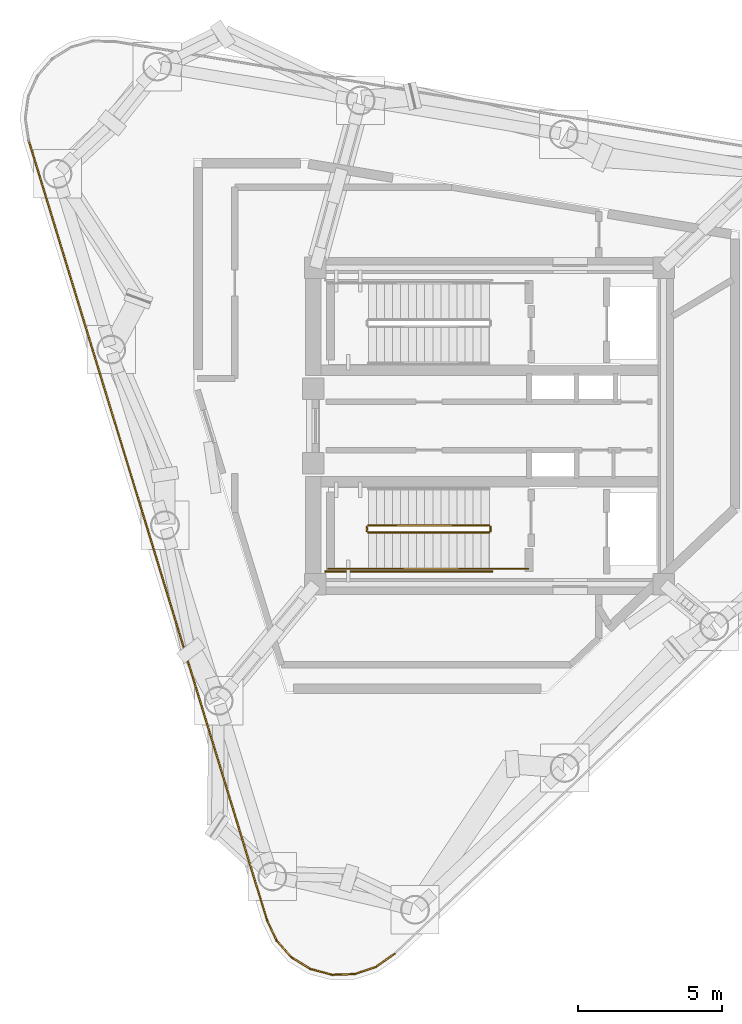
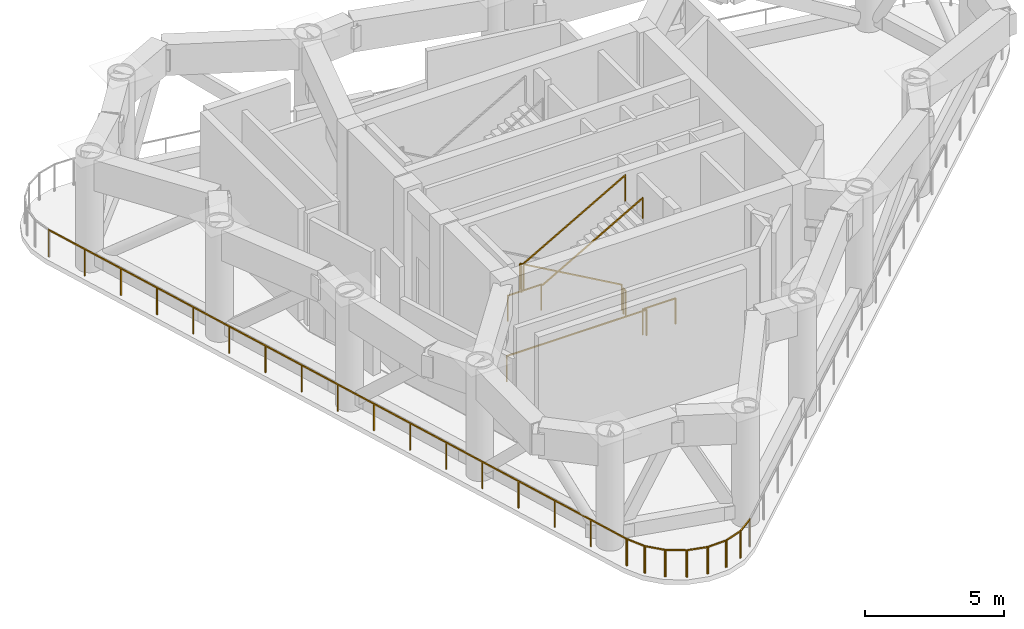
# One storey, part 6 of 9: 16 railings.
"""IFC4 building model written with IfcOpenShell, lengths in metres."""

from ifc_helpers import new_model, si_unit, direction, frame, origin, origin_2d, place, context, subcontext, project, spatial, rectangle, extrude, material, type_object, element, save


model = new_model("IFC4")

# Units and contexts
model_context = context("Model", 3, precision=1e-05, world=origin(), true_north=direction((0.0, 1.0)))
body_context = subcontext(model_context, "Body", "Model", "MODEL_VIEW")
ifc_project = project(units=[si_unit("LENGTHUNIT", "METRE"), si_unit("AREAUNIT", "SQUARE_METRE"), si_unit("VOLUMEUNIT", "CUBIC_METRE"), si_unit("PLANEANGLEUNIT", "RADIAN"), si_unit("MASSUNIT", "GRAM", prefix="KILO")], contexts=[model_context])

# Site, building, storey
site_placement = place(None, origin())
site = spatial("IfcSite", under=ifc_project, at=site_placement, CompositionType="ELEMENT")
building_placement = place(site_placement, origin())
building = spatial("IfcBuilding", under=site, at=building_placement, Name="Yunling Apex Tower", CompositionType="ELEMENT")
storey_placement = place(building_placement, frame((0.0, 0.0, 252.449951171875)))
storey = spatial("IfcBuildingStorey", under=building, at=storey_placement, Name="RF7", CompositionType="ELEMENT", Elevation=252.449951171875)

# Railings
ifc_material_1 = material(Name="Bronze anodised aluminium", Category="aluminium")
railing_type_1 = type_object("IfcRailingType", Name="RL-BAL-1200", PredefinedType="BALUSTRADE", material=ifc_material_1)
railing_1_placement = place(storey_placement, frame((-7.7216796875, -17.192626953125, 0.0)))
element("IfcRailing", 1, at=railing_1_placement, inside=storey, type_object=railing_type_1, Name="RL-REF-RF7-01", PredefinedType="BALUSTRADE", context=body_context, shape_type="SweptSolid", body=[
    extrude(rectangle(XDim=0.0439453125, YDim=0.0439453125, at=origin_2d()), origin(), (0.0, 0.0, 1.0), 1.199951171875),
    extrude(rectangle(XDim=0.0439453125, YDim=0.0439453125, at=origin_2d()), frame((-8.2939453125, 27.128173828125, 0.0)), (0.0, 0.0, 1.0), 1.199951171875),
    extrude(rectangle(XDim=0.050048828125, YDim=0.050048828125, at=origin_2d()), frame((-0.01123046875, 0.03662109375, 1.1748046875), z_axis=(-0.292372679642, 0.9563044579, 0.0), x_axis=(-0.9563044579, -0.292372679642, 0.0)), (0.0, 0.0, 1.0), 28.291015625),
    extrude(rectangle(XDim=0.0439453125, YDim=0.0439453125, at=origin_2d()), frame((-0.518310546875, 1.695556640625, 0.0)), (0.0, 0.0, 1.0), 1.14599609375),
    extrude(rectangle(XDim=0.0439453125, YDim=0.0439453125, at=origin_2d()), frame((-1.03662109375, 3.39111328125, 0.0)), (0.0, 0.0, 1.0), 1.14599609375),
    extrude(rectangle(XDim=0.0439453125, YDim=0.0439453125, at=origin_2d()), frame((-1.55517578125, 5.08642578125, 0.0)), (0.0, 0.0, 1.0), 1.14599609375),
    extrude(rectangle(XDim=0.0439453125, YDim=0.0439453125, at=origin_2d()), frame((-2.073486328125, 6.781982421875, 0.0)), (0.0, 0.0, 1.0), 1.14599609375),
    extrude(rectangle(XDim=0.0439453125, YDim=0.0439453125, at=origin_2d()), frame((-2.591796875, 8.4775390625, 0.0)), (0.0, 0.0, 1.0), 1.14599609375),
    extrude(rectangle(XDim=0.0439453125, YDim=0.0439453125, at=origin_2d()), frame((-3.1103515625, 10.173095703125, 0.0)), (0.0, 0.0, 1.0), 1.14599609375),
    extrude(rectangle(XDim=0.0439453125, YDim=0.0439453125, at=origin_2d()), frame((-3.628662109375, 11.86865234375, 0.0)), (0.0, 0.0, 1.0), 1.14599609375),
    extrude(rectangle(XDim=0.0439453125, YDim=0.0439453125, at=origin_2d()), frame((-4.14697265625, 13.56396484375, 0.0)), (0.0, 0.0, 1.0), 1.14599609375),
    extrude(rectangle(XDim=0.0439453125, YDim=0.0439453125, at=origin_2d()), frame((-4.665283203125, 15.259521484375, 0.0)), (0.0, 0.0, 1.0), 1.14599609375),
    extrude(rectangle(XDim=0.0439453125, YDim=0.0439453125, at=origin_2d()), frame((-5.18359375, 16.955078125, 0.0)), (0.0, 0.0, 1.0), 1.14599609375),
    extrude(rectangle(XDim=0.0439453125, YDim=0.0439453125, at=origin_2d()), frame((-5.7021484375, 18.650634765625, 0.0)), (0.0, 0.0, 1.0), 1.14599609375),
    extrude(rectangle(XDim=0.0439453125, YDim=0.0439453125, at=origin_2d()), frame((-6.220458984375, 20.34619140625, 0.0)), (0.0, 0.0, 1.0), 1.14599609375),
    extrude(rectangle(XDim=0.0439453125, YDim=0.0439453125, at=origin_2d()), frame((-6.73876953125, 22.041748046875, 0.0)), (0.0, 0.0, 1.0), 1.14599609375),
    extrude(rectangle(XDim=0.0439453125, YDim=0.0439453125, at=origin_2d()), frame((-7.25732421875, 23.737060546875, 0.0)), (0.0, 0.0, 1.0), 1.14599609375),
    extrude(rectangle(XDim=0.0439453125, YDim=0.0439453125, at=origin_2d()), frame((-7.775634765625, 25.4326171875, 0.0)), (0.0, 0.0, 1.0), 1.14599609375),
])
railing_2_placement = place(storey_placement, frame((-3.294189453125, -18.3349609375, 0.0)))
element("IfcRailing", 2, at=railing_2_placement, inside=storey, type_object=railing_type_1, Name="RL-REF-RF7-18", PredefinedType="BALUSTRADE", context=body_context, shape_type="SweptSolid", body=[
    extrude(rectangle(XDim=0.0439453125, YDim=0.0439453125, at=origin_2d()), origin(), (0.0, 0.0, 1.0), 1.199951171875),
    extrude(rectangle(XDim=0.0439453125, YDim=0.0439453125, at=origin_2d()), frame((-0.669189453125, -0.470947265625, 0.0)), (0.0, 0.0, 1.0), 1.199951171875),
    extrude(rectangle(XDim=0.050048828125, YDim=0.050048828125, at=origin_2d()), frame((-0.03125, -0.02197265625, 1.1748046875), z_axis=(-0.817785616171, -0.575522967382, 0.0), x_axis=(0.575522967382, -0.817785616171, 0.0)), (0.0, 0.0, 1.0), 0.74169921875),
])
railing_3_placement = place(storey_placement, frame((-3.936767578125, -18.79248046875, 0.0)))
element("IfcRailing", 3, at=railing_3_placement, inside=storey, type_object=railing_type_1, Name="RL-REF-RF7-19", PredefinedType="BALUSTRADE", context=body_context, shape_type="SweptSolid", body=[
    extrude(rectangle(XDim=0.0439453125, YDim=0.0439453125, at=origin_2d()), origin(), (0.0, 0.0, 1.0), 1.199951171875),
    extrude(rectangle(XDim=0.0439453125, YDim=0.0439453125, at=origin_2d()), frame((-0.763427734375, -0.25537109375, 0.0)), (0.0, 0.0, 1.0), 1.199951171875),
    extrude(rectangle(XDim=0.050048828125, YDim=0.050048828125, at=origin_2d()), frame((-0.036376953125, -0.01220703125, 1.1748046875), z_axis=(-0.948349164745, -0.317228406243, 0.0), x_axis=(0.317228406243, -0.948349164745, 0.0)), (0.0, 0.0, 1.0), 0.728271484375),
])
railing_4_placement = place(storey_placement, frame((-4.6708984375, -19.042724609375, 0.0)))
element("IfcRailing", 4, at=railing_4_placement, inside=storey, type_object=railing_type_1, Name="RL-REF-RF7-20", PredefinedType="BALUSTRADE", context=body_context, shape_type="SweptSolid", body=[
    extrude(rectangle(XDim=0.0439453125, YDim=0.0439453125, at=origin_2d()), origin(), (0.0, 0.0, 1.0), 1.199951171875),
    extrude(rectangle(XDim=0.0439453125, YDim=0.0439453125, at=origin_2d()), frame((-0.804443359375, -0.026123046875, 0.0)), (0.0, 0.0, 1.0), 1.199951171875),
    extrude(rectangle(XDim=0.050048828125, YDim=0.050048828125, at=origin_2d()), frame((-0.038330078125, -0.001220703125, 1.1748046875), z_axis=(-0.99947315434, -0.03245633612, 0.0), x_axis=(0.03245633612, -0.99947315434, 0.0)), (0.0, 0.0, 1.0), 0.728271484375),
])
railing_5_placement = place(storey_placement, frame((-5.44580078125, -19.072265625, 0.0)))
element("IfcRailing", 5, at=railing_5_placement, inside=storey, type_object=railing_type_1, Name="RL-REF-RF7-21", PredefinedType="BALUSTRADE", context=body_context, shape_type="SweptSolid", body=[
    extrude(rectangle(XDim=0.0439453125, YDim=0.0439453125, at=origin_2d()), origin(), (0.0, 0.0, 1.0), 1.199951171875),
    extrude(rectangle(XDim=0.0439453125, YDim=0.0439453125, at=origin_2d()), frame((-0.7783203125, 0.205322265625, 0.0)), (0.0, 0.0, 1.0), 1.199951171875),
    extrude(rectangle(XDim=0.050048828125, YDim=0.050048828125, at=origin_2d()), frame((-0.037109375, 0.009765625, 1.1748046875), z_axis=(-0.966921140369, 0.255075495311, 0.0), x_axis=(-0.255075495311, -0.966921140369, 0.0)), (0.0, 0.0, 1.0), 0.728271484375),
])
railing_6_placement = place(storey_placement, frame((-6.197021484375, -18.878662109375, 0.0)))
element("IfcRailing", 6, at=railing_6_placement, inside=storey, type_object=railing_type_1, Name="RL-REF-RF7-22", PredefinedType="BALUSTRADE", context=body_context, shape_type="SweptSolid", body=[
    extrude(rectangle(XDim=0.0439453125, YDim=0.0439453125, at=origin_2d()), origin(), (0.0, 0.0, 1.0), 1.199951171875),
    extrude(rectangle(XDim=0.0439453125, YDim=0.0439453125, at=origin_2d()), frame((-0.686767578125, 0.41943359375, 0.0)), (0.0, 0.0, 1.0), 1.199951171875),
    extrude(rectangle(XDim=0.050048828125, YDim=0.050048828125, at=origin_2d()), frame((-0.03271484375, 0.02001953125, 1.1748046875), z_axis=(-0.853424290862, 0.521216826058, 0.0), x_axis=(-0.521216826058, -0.853424290862, 0.0)), (0.0, 0.0, 1.0), 0.72802734375),
])
railing_7_placement = place(storey_placement, frame((-6.861083984375, -18.47802734375, 0.0)))
element("IfcRailing", 7, at=railing_7_placement, inside=storey, type_object=railing_type_1, Name="RL-REF-RF7-23", PredefinedType="BALUSTRADE", context=body_context, shape_type="SweptSolid", body=[
    extrude(rectangle(XDim=0.0439453125, YDim=0.0439453125, at=origin_2d()), origin(), (0.0, 0.0, 1.0), 1.199951171875),
    extrude(rectangle(XDim=0.0439453125, YDim=0.0439453125, at=origin_2d()), frame((-0.5380859375, 0.598388671875, 0.0)), (0.0, 0.0, 1.0), 1.199951171875),
    extrude(rectangle(XDim=0.050048828125, YDim=0.050048828125, at=origin_2d()), frame((-0.025634765625, 0.028564453125, 1.1748046875), z_axis=(-0.668646206607, 0.743580695278, 0.0), x_axis=(-0.743580695278, -0.668646206607, 0.0)), (0.0, 0.0, 1.0), 0.72802734375),
])
railing_8_placement = place(storey_placement, frame((-7.382568359375, -17.904296875, 0.0)))
element("IfcRailing", 8, at=railing_8_placement, inside=storey, type_object=railing_type_1, Name="RL-REF-RF7-24", PredefinedType="BALUSTRADE", context=body_context, shape_type="SweptSolid", body=[
    extrude(rectangle(XDim=0.0439453125, YDim=0.0439453125, at=origin_2d()), origin(), (0.0, 0.0, 1.0), 1.199951171875),
    extrude(rectangle(XDim=0.0439453125, YDim=0.0439453125, at=origin_2d()), frame((-0.349853515625, 0.739501953125, 0.0)), (0.0, 0.0, 1.0), 1.199951171875),
    extrude(rectangle(XDim=0.050048828125, YDim=0.050048828125, at=origin_2d()), frame((-0.016357421875, 0.03466796875, 1.1748046875), z_axis=(-0.427650128023, 0.903944338996, 0.0), x_axis=(-0.903944338996, -0.427650128023, 0.0)), (0.0, 0.0, 1.0), 0.741455078125),
])
ifc_material_2 = material(Name="Steel Q355B", Category="steel")
railing_type_2 = type_object("IfcRailingType", Name="RL-GRD-1150", PredefinedType="GUARDRAIL", material=ifc_material_2)
railing_9_placement = place(storey_placement, frame((-0.010009765625, -3.449951171875, 0.159423828125)))
element("IfcRailing", 9, at=railing_9_placement, inside=storey, type_object=railing_type_2, Name="RF7 ST-2 stair guard 1", PredefinedType="GUARDRAIL", context=body_context, shape_type="SweptSolid", body=[
    extrude(rectangle(XDim=0.0439453125, YDim=0.0439453125, at=origin_2d()), origin(), (0.0, 0.0, 1.0), 1.14990234375),
    extrude(rectangle(XDim=0.0439453125, YDim=0.0439453125, at=origin_2d()), frame((-4.199951171875, 0.0, 2.390625)), (0.0, 0.0, 1.0), 1.14990234375),
    extrude(rectangle(XDim=0.050048828125, YDim=0.050048828125, at=origin_2d()), frame((-0.033203125, 0.0, 1.143798828125), z_axis=(-0.869075089623, 0.0, 0.494680188199), x_axis=(0.0, -1.0, 0.0)), (0.0, 0.0, 1.0), 4.756103515625),
])
railing_10_placement = place(storey_placement, frame((-4.260009765625, -3.5, 2.550048828125)))
element("IfcRailing", 10, at=railing_10_placement, inside=storey, type_object=railing_type_2, Name="RF7 ST-2 stair guard 2", PredefinedType="GUARDRAIL", context=body_context, shape_type="SweptSolid", body=[
    extrude(rectangle(XDim=0.0439453125, YDim=0.0439453125, at=origin_2d()), origin(), (0.0, 0.0, 1.0), 1.14990234375),
    extrude(rectangle(XDim=0.0439453125, YDim=0.0439453125, at=origin_2d()), frame((0.0, -0.14990234375, 0.0)), (0.0, 0.0, 1.0), 1.14990234375),
    extrude(rectangle(XDim=0.050048828125, YDim=0.050048828125, at=origin_2d()), frame((0.0, -0.038330078125, 1.125), z_axis=(0.0, -1.0, 0.0), x_axis=(1.0, 0.0, 0.0)), (0.0, 0.0, 1.0), 0.0732421875),
])
railing_11_placement = place(storey_placement, frame((-4.2099609375, -4.9599609375, 2.550048828125)))
element("IfcRailing", 11, at=railing_11_placement, inside=storey, type_object=railing_type_2, Name="RF7 ST-2 stair guard 3", PredefinedType="GUARDRAIL", context=body_context, shape_type="SweptSolid", body=[
    extrude(rectangle(XDim=0.0439453125, YDim=0.0439453125, at=origin_2d()), origin(), (0.0, 0.0, 1.0), 1.14990234375),
    extrude(rectangle(XDim=0.0439453125, YDim=0.0439453125, at=origin_2d()), frame((-1.39013671875, 0.0, 0.0)), (0.0, 0.0, 1.0), 1.14990234375),
    extrude(rectangle(XDim=0.050048828125, YDim=0.050048828125, at=origin_2d()), frame((-0.038330078125, 0.0, 1.125), z_axis=(-1.0, 0.0, 0.0), x_axis=(0.0, -1.0, 0.0)), (0.0, 0.0, 1.0), 1.3134765625),
])
railing_12_placement = place(storey_placement, frame((-4.2099609375, -3.699951171875, 2.70947265625)))
element("IfcRailing", 12, at=railing_12_placement, inside=storey, type_object=railing_type_2, Name="RF7 ST-2 stair guard 4", PredefinedType="GUARDRAIL", context=body_context, shape_type="SweptSolid", body=[
    extrude(rectangle(XDim=0.0439453125, YDim=0.0439453125, at=origin_2d()), origin(), (0.0, 0.0, 1.0), 1.14990234375),
    extrude(rectangle(XDim=0.0439453125, YDim=0.0439453125, at=origin_2d()), frame((4.199951171875, 0.0, 2.390625)), (0.0, 0.0, 1.0), 1.14990234375),
    extrude(rectangle(XDim=0.050048828125, YDim=0.050048828125, at=origin_2d()), frame((0.033203125, 0.0, 1.143798828125), z_axis=(0.869075089623, 0.0, 0.494680188199), x_axis=(0.0, 1.0, 0.0)), (0.0, 0.0, 1.0), 4.756103515625),
])
railing_13_placement = place(storey_placement, frame((0.0400390625, -3.5, 0.0)))
element("IfcRailing", 13, at=railing_13_placement, inside=storey, type_object=railing_type_2, Name="RF7 ST-2 stair guard 5", PredefinedType="GUARDRAIL", context=body_context, shape_type="SweptSolid", body=[
    extrude(rectangle(XDim=0.0439453125, YDim=0.0439453125, at=origin_2d()), origin(), (0.0, 0.0, 1.0), 1.14990234375),
    extrude(rectangle(XDim=0.0439453125, YDim=0.0439453125, at=origin_2d()), frame((0.0, -0.14990234375, 0.0)), (0.0, 0.0, 1.0), 1.14990234375),
    extrude(rectangle(XDim=0.050048828125, YDim=0.050048828125, at=origin_2d()), frame((0.0, -0.038330078125, 1.125), z_axis=(0.0, -1.0, 0.0), x_axis=(1.0, 0.0, 0.0)), (0.0, 0.0, 1.0), 0.0732421875),
])
railing_14_placement = place(storey_placement, frame((1.35009765625, -4.9599609375, 0.0)))
element("IfcRailing", 14, at=railing_14_placement, inside=storey, type_object=railing_type_2, Name="RF7 ST-2 stair guard 6", PredefinedType="GUARDRAIL", context=body_context, shape_type="SweptSolid", body=[
    extrude(rectangle(XDim=0.0439453125, YDim=0.0439453125, at=origin_2d()), origin(), (0.0, 0.0, 1.0), 1.14990234375),
    extrude(rectangle(XDim=0.0439453125, YDim=0.0439453125, at=origin_2d()), frame((-1.360107421875, 0.0, 0.0)), (0.0, 0.0, 1.0), 1.14990234375),
    extrude(rectangle(XDim=0.050048828125, YDim=0.050048828125, at=origin_2d()), frame((-0.038330078125, 0.0, 1.125), z_axis=(-1.0, 0.0, 0.0), x_axis=(0.0, -1.0, 0.0)), (0.0, 0.0, 1.0), 1.283447265625),
])
railing_15_placement = place(storey_placement, frame((0.090087890625, -5.06005859375, 0.0)))
element("IfcRailing", 15, at=railing_15_placement, inside=storey, type_object=railing_type_2, Name="RF7 ST-2 stair guard 7", PredefinedType="GUARDRAIL", context=body_context, shape_type="SweptSolid", body=[
    extrude(rectangle(XDim=0.0439453125, YDim=0.0439453125, at=origin_2d()), origin(), (0.0, 0.0, 1.0), 1.14990234375),
    extrude(rectangle(XDim=0.0439453125, YDim=0.0439453125, at=origin_2d()), frame((-5.7900390625, 0.0, 0.0)), (0.0, 0.0, 1.0), 1.14990234375),
    extrude(rectangle(XDim=0.050048828125, YDim=0.050048828125, at=origin_2d()), frame((-0.038330078125, 0.0, 1.125), z_axis=(-1.0, 0.0, 0.0), x_axis=(0.0, -1.0, 0.0)), (0.0, 0.0, 1.0), 5.71337890625),
])
ifc_material_3 = material(Name="Silver anodised aluminium", Category="aluminium")
railing_type_3 = type_object("IfcRailingType", Name="RL-HND-900", PredefinedType="HANDRAIL", material=ifc_material_3)
railing_16_placement = place(storey_placement, frame((-4.2099609375, -4.9599609375, 2.70947265625)))
element("IfcRailing", 16, at=railing_16_placement, inside=storey, type_object=railing_type_3, Name="RF7 ST-2 stair handrail 2", PredefinedType="HANDRAIL", context=body_context, shape_type="SweptSolid", body=[
    extrude(rectangle(XDim=0.0439453125, YDim=0.0439453125, at=origin_2d()), origin(), (0.0, 0.0, 1.0), 0.919921875),
    extrude(rectangle(XDim=0.0439453125, YDim=0.0439453125, at=origin_2d()), frame((4.199951171875, 0.0, 2.390625)), (0.0, 0.0, 1.0), 0.919921875),
    extrude(rectangle(XDim=0.050048828125, YDim=0.050048828125, at=origin_2d()), frame((0.033203125, 0.0, 0.913818359375), z_axis=(0.869075089623, 0.0, 0.494680188199), x_axis=(0.0, 1.0, 0.0)), (0.0, 0.0, 1.0), 4.756103515625),
])

save(model, "model.ifc")
